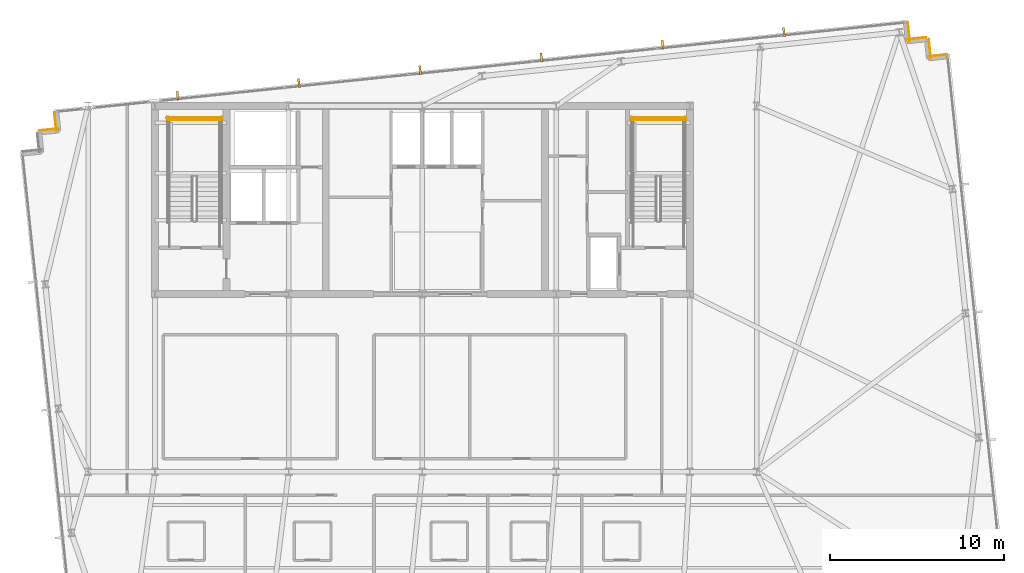
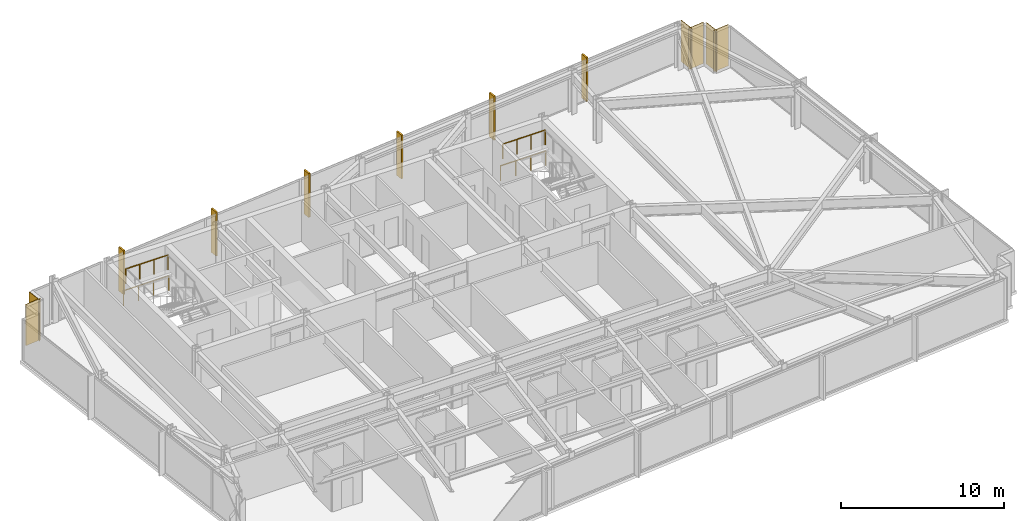
# One storey, part 33 of 33: 6 coverings, 6 shading devices, 4 railings.
"""IFC4 building model written with IfcOpenShell, lengths in metres."""

from ifc_helpers import new_model, si_unit, direction, frame, frame_2d, origin, origin_2d, place, context, subcontext, project, spatial, rectangle, circle, extrude, material, layer, layer_set, type_object, element, save


model = new_model("IFC4")

# Units and contexts
model_context = context("Model", 3, precision=1e-05, world=origin(), true_north=direction((0.0, 1.0)))
body_context = subcontext(model_context, "Body", "Model", "MODEL_VIEW")
ifc_project = project(units=[si_unit("LENGTHUNIT", "METRE"), si_unit("AREAUNIT", "SQUARE_METRE"), si_unit("VOLUMEUNIT", "CUBIC_METRE"), si_unit("PLANEANGLEUNIT", "RADIAN"), si_unit("MASSUNIT", "GRAM", prefix="KILO")], contexts=[model_context])

# Site, building, storey
site_placement = place(None, origin())
site = spatial("IfcSite", under=ifc_project, at=site_placement, CompositionType="ELEMENT")
building_placement = place(site_placement, origin())
building = spatial("IfcBuilding", under=site, at=building_placement, Name="Yelkora Congress Tower", CompositionType="ELEMENT")
storey_placement = place(building_placement, frame((0.0, 0.0, 221.0)))
storey = spatial("IfcBuildingStorey", under=building, at=storey_placement, Name="L61", CompositionType="ELEMENT", Elevation=221.0)

# Coverings
ifc_material_1 = material(Name="Anatolian bush-hammered limestone", Category="masonry")
ifc_layer_1 = layer(ifc_material_1, 0.0400390625)
ifc_layer_set_1 = layer_set([ifc_layer_1], Name="Anatolian bush-hammered limestone")
covering_type = type_object("IfcCoveringType", Name="COV-CLAD-SPANDREL-40", PredefinedType="CLADDING", material=ifc_layer_set_1)
for number, where, z_axis, x_axis, name in (
    (1, (16.406005859375, 44.7880859375, 0.0), (0.0, 0.0, 1.0), (0.994544300928, 0.104315068386, 0.0), "L61 Anatolian Limestone Cladding EW-L61-SR08"),
    (2, (17.379638671875, 44.75439453125, 0.0), (0.0, 0.0, 1.0), (-0.104534592565, 0.994521251134, 0.0), "L61 Anatolian Limestone Cladding EW-L61-SR09"),
    (3, (66.284912109375, 51.000732421875, 0.0), (0.0, 0.0, 1.0), (0.104534592565, -0.994521251134, 0.0), "L61 Anatolian Limestone Cladding EW-L61-SR11"),
):
    element("IfcCovering", number, at=place(storey_placement, frame(where, z_axis=z_axis, x_axis=x_axis)), inside=storey, type_object=covering_type, Name=name, PredefinedType="CLADDING", context=body_context, shape_type="SweptSolid", body=[
        extrude(rectangle(XDim=1.10009765625, YDim=0.0400390625, at=frame_2d((0.550048828125, 0.0))), origin(), (0.0, 0.0, 1.0), 3.080078125),
    ])
covering_placement = place(storey_placement, frame((66.25146484375, 50.02685546875, 0.0), z_axis=(0.0, 0.0, 1.0), x_axis=(0.994518825066, 0.104557671117, 0.0)))
element("IfcCovering", 4, at=covering_placement, inside=storey, type_object=covering_type, Name="L61 Anatolian Limestone Cladding EW-L61-SR12", PredefinedType="CLADDING", context=body_context, shape_type="SweptSolid", body=[
    extrude(rectangle(XDim=1.099853515625, YDim=0.0400390625, at=frame_2d((0.5498046875, 0.0))), origin(), (0.0, 0.0, 1.0), 3.080078125),
])
for number, where, z_axis, x_axis, name in (
    (5, (67.49365234375, 50.021728515625, 0.0), (0.0, 0.0, 1.0), (0.104534592565, -0.994521251134, 0.0), "L61 Anatolian Limestone Cladding EW-L61-SR13"),
    (6, (67.460205078125, 49.0478515625, 0.0), (0.0, 0.0, 1.0), (0.994521251134, 0.104534592565, 0.0), "L61 Anatolian Limestone Cladding EW-L61-SR14"),
):
    element("IfcCovering", number, at=place(storey_placement, frame(where, z_axis=z_axis, x_axis=x_axis)), inside=storey, type_object=covering_type, Name=name, PredefinedType="CLADDING", context=body_context, shape_type="SweptSolid", body=[
        extrude(rectangle(XDim=1.10009765625, YDim=0.0400390625, at=frame_2d((0.550048828125, 0.0))), origin(), (0.0, 0.0, 1.0), 3.080078125),
    ])

# Railings
ifc_material_2 = material(Name="Painted galvanised steel stair well guard with vertical infill", Category="steel")
ifc_layer_2 = layer(ifc_material_2, 0.06005859375)
ifc_layer_set_2 = layer_set([ifc_layer_2], Name="Painted galvanised steel stair well guard with vertical infill")
railing_type = type_object("IfcRailingType", Name="RAIL-STAIR-GUARD-1120", PredefinedType="GUARDRAIL", material=ifc_layer_set_2)
railing_1_placement = place(storey_placement, frame((26.820068359375, 45.419921875, 1.64990234375)))
element("IfcRailing", 7, at=railing_1_placement, inside=storey, type_object=railing_type, Name="ST-01 L61 Stair Well Guardrail 5", PredefinedType="GUARDRAIL", context=body_context, shape_type="SweptSolid", body=[
    extrude(circle(Radius=0.02392578125, at=origin_2d()), frame((0.0, 0.0, 1.09619140625), z_axis=(-1.0, 0.0, 0.0), x_axis=(0.0, -1.0, 0.0)), (0.0, 0.0, 1.0), 3.0),
    extrude(circle(Radius=0.02099609375, at=origin_2d()), origin(), (0.0, 0.0, 1.0), 1.072021484375),
    extrude(circle(Radius=0.02099609375, at=origin_2d()), frame((-1.0, 0.0, 0.0)), (0.0, 0.0, 1.0), 1.072021484375),
    extrude(circle(Radius=0.02099609375, at=origin_2d()), frame((-2.0, 0.0, 0.0)), (0.0, 0.0, 1.0), 1.072021484375),
    extrude(circle(Radius=0.02099609375, at=origin_2d()), frame((-3.0, 0.0, 0.0)), (0.0, 0.0, 1.0), 1.072021484375),
])
railing_2_placement = place(storey_placement, frame((26.919921875, 45.52001953125, 0.0)))
element("IfcRailing", 8, at=railing_2_placement, inside=storey, type_object=railing_type, Name="ST-01 L61 Stair Well Guardrail 12", PredefinedType="GUARDRAIL", context=body_context, shape_type="SweptSolid", body=[
    extrude(circle(Radius=0.02392578125, at=origin_2d()), frame((0.0, 0.0, 1.09619140625), z_axis=(-1.0, 0.0, 0.0), x_axis=(0.0, -1.0, 0.0)), (0.0, 0.0, 1.0), 3.199951171875),
    extrude(circle(Radius=0.02099609375, at=origin_2d()), origin(), (0.0, 0.0, 1.0), 1.072021484375),
    extrude(circle(Radius=0.02099609375, at=origin_2d()), frame((-1.066650390625, 0.0, 0.0)), (0.0, 0.0, 1.0), 1.072021484375),
    extrude(circle(Radius=0.02099609375, at=origin_2d()), frame((-2.13330078125, 0.0, 0.0)), (0.0, 0.0, 1.0), 1.072021484375),
    extrude(circle(Radius=0.02099609375, at=origin_2d()), frame((-3.199951171875, 0.0, 0.0)), (0.0, 0.0, 1.0), 1.072021484375),
])
railing_3_placement = place(storey_placement, frame((53.4599609375, 45.419921875, 1.64990234375)))
element("IfcRailing", 9, at=railing_3_placement, inside=storey, type_object=railing_type, Name="ST-02 L61 Stair Well Guardrail 5", PredefinedType="GUARDRAIL", context=body_context, shape_type="SweptSolid", body=[
    extrude(circle(Radius=0.02392578125, at=origin_2d()), frame((0.0, 0.0, 1.09619140625), z_axis=(-1.0, 0.0, 0.0), x_axis=(0.0, -1.0, 0.0)), (0.0, 0.0, 1.0), 3.0),
    extrude(circle(Radius=0.02099609375, at=origin_2d()), origin(), (0.0, 0.0, 1.0), 1.072021484375),
    extrude(circle(Radius=0.02099609375, at=origin_2d()), frame((-1.0, 0.0, 0.0)), (0.0, 0.0, 1.0), 1.072021484375),
    extrude(circle(Radius=0.02099609375, at=origin_2d()), frame((-2.0, 0.0, 0.0)), (0.0, 0.0, 1.0), 1.072021484375),
    extrude(circle(Radius=0.02099609375, at=origin_2d()), frame((-3.0, 0.0, 0.0)), (0.0, 0.0, 1.0), 1.072021484375),
])
railing_4_placement = place(storey_placement, frame((53.56005859375, 45.52001953125, 0.0)))
element("IfcRailing", 10, at=railing_4_placement, inside=storey, type_object=railing_type, Name="ST-02 L61 Stair Well Guardrail 12", PredefinedType="GUARDRAIL", context=body_context, shape_type="SweptSolid", body=[
    extrude(circle(Radius=0.02392578125, at=origin_2d()), frame((0.0, 0.0, 1.09619140625), z_axis=(-1.0, 0.0, 0.0), x_axis=(0.0, -1.0, 0.0)), (0.0, 0.0, 1.0), 3.199951171875),
    extrude(circle(Radius=0.02099609375, at=origin_2d()), origin(), (0.0, 0.0, 1.0), 1.072021484375),
    extrude(circle(Radius=0.02099609375, at=origin_2d()), frame((-1.066650390625, 0.0, 0.0)), (0.0, 0.0, 1.0), 1.072021484375),
    extrude(circle(Radius=0.02099609375, at=origin_2d()), frame((-2.13330078125, 0.0, 0.0)), (0.0, 0.0, 1.0), 1.072021484375),
    extrude(circle(Radius=0.02099609375, at=origin_2d()), frame((-3.199951171875, 0.0, 0.0)), (0.0, 0.0, 1.0), 1.072021484375),
])

# Shading devices
ifc_material_3 = material(Name="Champagne anodised aluminium", Category="aluminium")
ifc_layer_3 = layer(ifc_material_3, 3.300048828125)
ifc_layer_set_3 = layer_set([ifc_layer_3], Name="Champagne anodised aluminium")
shading_device_type = type_object("IfcShadingDeviceType", Name="SHD-FIN-ALU-520", PredefinedType="USERDEFINED", material=ifc_layer_set_3)
for number, where, z_axis, x_axis, name in (
    (11, (24.342529296875, 46.79345703125, -0.02978515625), (0.0, 0.0, 1.0), (0.994521895368, 0.104528463268, 0.0), "L61 Vertical Anodised Solar Fin 10-1"),
    (12, (31.30712890625, 47.525390625, -0.02978515625), (0.0, 0.0, 1.0), (0.994521895368, 0.104528463268, 0.0), "L61 Vertical Anodised Solar Fin 10-2"),
    (13, (38.271484375, 48.257568359375, -0.02978515625), (0.0, 0.0, 1.0), (0.994521895368, 0.104528463268, 0.0), "L61 Vertical Anodised Solar Fin 10-3"),
    (14, (45.236083984375, 48.989501953125, -0.02978515625), (0.0, 0.0, 1.0), (0.994521895368, 0.104528463268, 0.0), "L61 Vertical Anodised Solar Fin 10-4"),
    (15, (52.20068359375, 49.721435546875, -0.02978515625), (0.0, 0.0, 1.0), (0.994521895368, 0.104528463268, 0.0), "L61 Vertical Anodised Solar Fin 10-5"),
    (16, (59.1650390625, 50.45361328125, -0.02978515625), (0.0, 0.0, 1.0), (0.994521895368, 0.104528463268, 0.0), "L61 Vertical Anodised Solar Fin 10-6"),
):
    element("IfcShadingDevice", number, at=place(storey_placement, frame(where, z_axis=z_axis, x_axis=x_axis)), inside=storey, type_object=shading_device_type, Name=name, ObjectType="FIN", PredefinedType="USERDEFINED", context=body_context, shape_type="SweptSolid", body=[
        extrude(rectangle(XDim=0.1201171875, YDim=0.52001953125, at=origin_2d()), origin(), (0.0, 0.0, 1.0), 3.280029296875),
    ])

save(model, "model.ifc")
